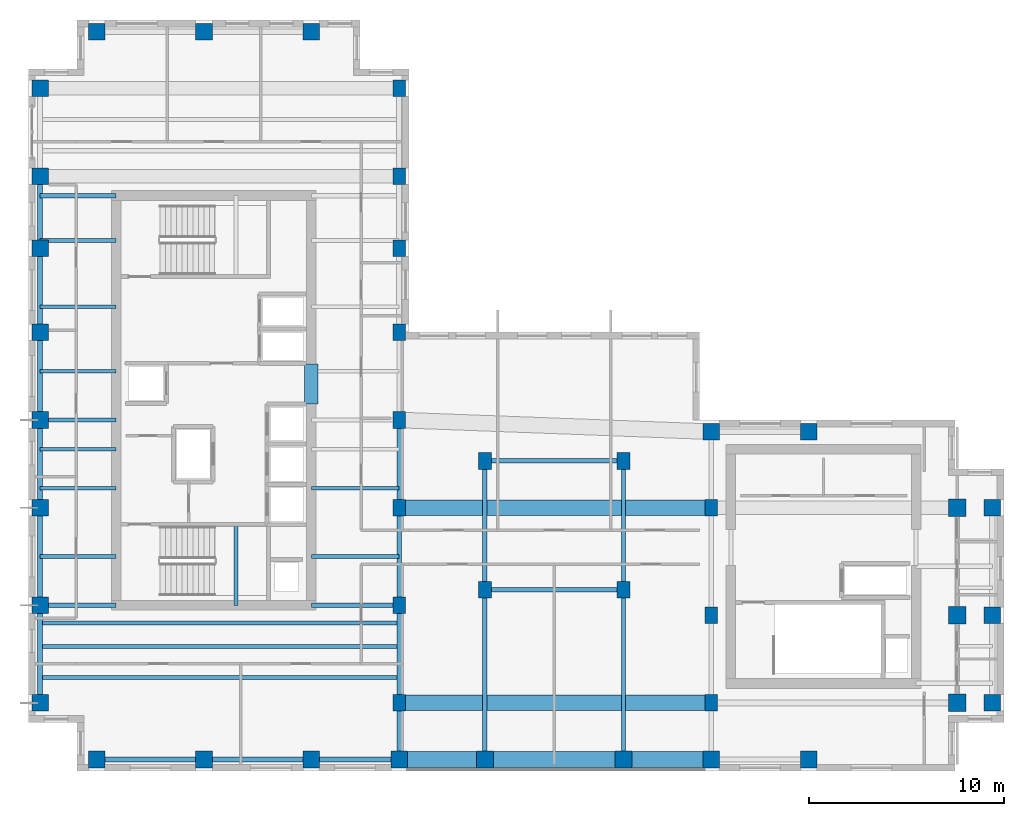
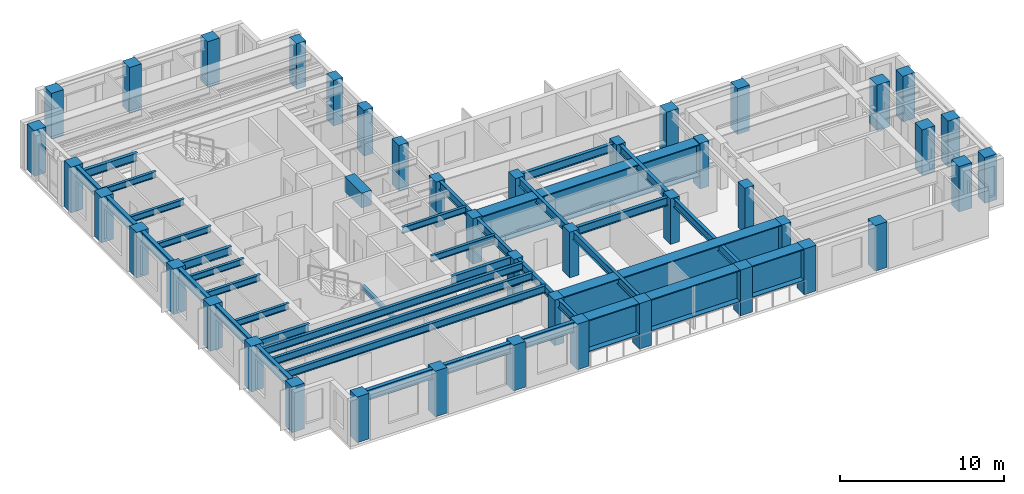
# One storey, part 1 of 13: 42 columns, 39 beams.
"""IFC4 building model written with IfcOpenShell, lengths in metres."""

import ifcopenshell
import ifcopenshell.guid

model = None  # the IFC model being written
_history = None  # IfcOwnerHistory: only IFC2X3 demands one
_inside = {}  # id of a spatial element -> (the spatial element, [elements in it])
_under = {}  # id of a project, library or spatial element -> (it, [spatial elements below it])
_declared = {}  # id of a project -> (the project, [libraries it declares])
_typed = {}  # id of a type object -> (the type object, [elements of that type])
_made_of = {}  # id of a material, layer set ... -> (it, [elements and type objects made of it])


def new_model(schema):
    """Start an empty IFC model of exactly this schema.

    Asked for "IFC4X3", IfcOpenShell would pick the latest addendum, in which some entities
    have other attributes; the version numbers below select the first issue.
    IFC2X3 requires an IfcOwnerHistory on every rooted entity: one is made here for all.
    """
    global model, _history
    if schema == "IFC4X3":
        model = ifcopenshell.file(schema_version=(4, 3, 0, 0))
    else:
        model = ifcopenshell.file(schema=schema)
    _inside.clear()
    _under.clear()
    _declared.clear()
    _typed.clear()
    _made_of.clear()
    _history = None
    if model.schema == "IFC2X3":
        org = make("IfcOrganization", Name="unknown")
        user = make(
            "IfcPersonAndOrganization",
            ThePerson=make("IfcPerson", FamilyName="unknown"),
            TheOrganization=org,
        )
        app = make(
            "IfcApplication",
            ApplicationDeveloper=org,
            Version="unknown",
            ApplicationFullName="unknown",
            ApplicationIdentifier="unknown",
        )
        _history = make(
            "IfcOwnerHistory",
            OwningUser=user,
            OwningApplication=app,
            ChangeAction="ADDED",
            CreationDate=0,
        )
    return model


def make(cls, **values):
    """One entity of the class cls with the attributes given. An attribute that is None is left unset."""
    return model.create_entity(
        cls, **{name: value for name, value in values.items() if value is not None}
    )


def rooted(cls, **values):
    """An entity with a GlobalId (a new one), such as an element, a storey or a relation."""
    return make(cls, GlobalId=ifcopenshell.guid.new(), OwnerHistory=_history, **values)


def si_unit(unit_type, name, prefix=None):
    """IfcSIUnit, for example si_unit("LENGTHUNIT", "METRE", prefix="MILLI")."""
    return make("IfcSIUnit", UnitType=unit_type, Prefix=prefix, Name=name)


def assignment(units):
    """IfcUnitAssignment: the units of a project."""
    return None if units is None else make("IfcUnitAssignment", Units=units)


def point(xyz):
    """IfcCartesianPoint."""
    return None if xyz is None else make("IfcCartesianPoint", Coordinates=xyz)


def direction(xyz):
    """IfcDirection."""
    return None if xyz is None else make("IfcDirection", DirectionRatios=xyz)


def frame(location, z_axis=None, x_axis=None):
    """IfcAxis2Placement3D, a coordinate frame: its origin and axes. An axis left out is left unset."""
    return make(
        "IfcAxis2Placement3D",
        Location=point(location),
        Axis=direction(z_axis),
        RefDirection=direction(x_axis),
    )


def frame_2d(location, x_axis=None):
    """IfcAxis2Placement2D, a coordinate frame in the plane: its origin and x axis."""
    return make(
        "IfcAxis2Placement2D", Location=point(location), RefDirection=direction(x_axis)
    )


def origin():
    """The frame at (0, 0, 0) with its axes left unset."""
    return frame((0.0, 0.0, 0.0))


def origin_2d():
    """The frame at (0, 0) in the plane with its x axis left unset."""
    return frame_2d((0.0, 0.0))


def place(relative_to, where):
    """IfcLocalPlacement: puts the frame where relative to a parent placement (None: the world)."""
    return make(
        "IfcLocalPlacement", PlacementRelTo=relative_to, RelativePlacement=where
    )


def context(
    kind, dimensions, precision=None, world=None, true_north=None, identifier=None
):
    """IfcGeometricRepresentationContext, for example the 3D "Model" context."""
    return make(
        "IfcGeometricRepresentationContext",
        ContextIdentifier=identifier,
        ContextType=kind,
        CoordinateSpaceDimension=dimensions,
        Precision=precision,
        WorldCoordinateSystem=world,
        TrueNorth=true_north,
    )


def subcontext(parent, identifier, kind, view, scale=None):
    """IfcGeometricRepresentationSubContext, for example "Body" below "Model"."""
    return make(
        "IfcGeometricRepresentationSubContext",
        ContextIdentifier=identifier,
        ContextType=kind,
        ParentContext=parent,
        TargetScale=scale,
        TargetView=view,
    )


def project(units=None, contexts=None):
    """IfcProject with its units and contexts."""
    return rooted(
        "IfcProject",
        Name="project",
        RepresentationContexts=contexts,
        UnitsInContext=assignment(units),
    )


def spatial(cls, under=None, at=None, **own):
    """A site, building, storey or space (cls), placed at a placement, below another one or the project."""
    s = rooted(cls, ObjectPlacement=at, **own)
    if under is not None:
        _under.setdefault(under.id(), (under, []))[1].append(s)
    return s


def profile(cls, at=None, kind="AREA", **sizes):
    """A parametric profile (cls). Its sizes go by their IFC names, for example OverallWidth=200.0."""
    return make(cls, ProfileType=kind, Position=at, **sizes)


def rectangle(**sizes):
    """IfcRectangleProfileDef."""
    return profile("IfcRectangleProfileDef", **sizes)


def i_section(**sizes):
    """IfcIShapeProfileDef."""
    return profile("IfcIShapeProfileDef", **sizes)


def extrude(swept, where, along, depth):
    """IfcExtrudedAreaSolid: the profile swept, set in the frame where, extruded along a direction by depth."""
    return make(
        "IfcExtrudedAreaSolid",
        SweptArea=swept,
        Position=where,
        ExtrudedDirection=direction(along),
        Depth=depth,
    )


def shape(context_of_items, identifier, shape_type, items):
    """IfcShapeRepresentation: the items that make up one representation, for example the "Body"."""
    return make(
        "IfcShapeRepresentation",
        ContextOfItems=context_of_items,
        RepresentationIdentifier=identifier,
        RepresentationType=shape_type,
        Items=items,
    )


def source(mapping_origin, context_of_items, identifier, shape_type, items):
    """IfcRepresentationMap: a shape defined once, which mapped items show again and again."""
    return make(
        "IfcRepresentationMap",
        MappingOrigin=mapping_origin,
        MappedRepresentation=shape(context_of_items, identifier, shape_type, items),
    )


def transform(
    local_origin,
    x_axis=None,
    y_axis=None,
    z_axis=None,
    scale=None,
    scale2=None,
    scale3=None,
    uniform=True,
):
    """IfcCartesianTransformationOperator3D, or its non-uniform kind. x_axis, y_axis, z_axis: its Axis1, 2, 3."""
    if uniform:
        return make(
            "IfcCartesianTransformationOperator3D",
            Axis1=direction(x_axis),
            Axis2=direction(y_axis),
            LocalOrigin=point(local_origin),
            Scale=scale,
            Axis3=direction(z_axis),
        )
    return make(
        "IfcCartesianTransformationOperator3DnonUniform",
        Axis1=direction(x_axis),
        Axis2=direction(y_axis),
        LocalOrigin=point(local_origin),
        Scale=scale,
        Axis3=direction(z_axis),
        Scale2=scale2,
        Scale3=scale3,
    )


def mapped(mapping_source, mapping_target):
    """IfcMappedItem: shows the shape of a source again, moved by a transform."""
    return make(
        "IfcMappedItem", MappingSource=mapping_source, MappingTarget=mapping_target
    )


def material(Name=None, Category=None):
    """IfcMaterial."""
    return make("IfcMaterial", Name=Name, Category=Category)


def material_profile(
    of_material, cross_section, Name=None, Category=None, Priority=None
):
    """IfcMaterialProfile: a cross section and its material."""
    return make(
        "IfcMaterialProfile",
        Name=Name,
        Material=of_material,
        Profile=cross_section,
        Priority=Priority,
        Category=Category,
    )


def profile_set(profiles, Name=None, composite=None):
    """IfcMaterialProfileSet."""
    return make(
        "IfcMaterialProfileSet",
        Name=Name,
        MaterialProfiles=profiles,
        CompositeProfile=composite,
    )


def made_of(thing, what):
    """Note that an element or type object is made of a material, layer set ...; save() writes the relation."""
    if what is not None:
        _made_of.setdefault(what.id(), (what, []))[1].append(thing)
    return thing


def type_object(cls, material=None, **own):
    """A type object (cls), such as IfcWallType, which elements share."""
    return made_of(rooted(cls, **own), material)


def element(
    cls,
    number,
    at=None,
    inside=None,
    cuts=None,
    type_object=None,
    material=None,
    context=None,
    identifier="Body",
    shape_type=None,
    held_by="IfcProductDefinitionShape",
    body=None,
    shapes=None,
    **own,
):
    """One element of the class cls, such as IfcWall. Its Tag is "e" and its number.

    at: its placement. inside: the storey or other place that contains it. cuts: it is an
    opening in that element (IfcRelVoidsElement). A single representation is given by context,
    identifier, shape_type and body (its items); several are given by shapes. held_by: the class
    of the entity that holds the representations. save() writes the other relations.
    """
    e = rooted(cls, Tag="e%d" % number, ObjectPlacement=at, **own)
    if body is not None:
        shapes = [shape(context, identifier, shape_type, body)]
    if shapes is not None:
        e.Representation = make(held_by, Representations=shapes)
    if inside is not None:
        _inside.setdefault(inside.id(), (inside, []))[1].append(e)
    if cuts is not None:
        rooted(
            "IfcRelVoidsElement", RelatingBuildingElement=cuts, RelatedOpeningElement=e
        )
    if type_object is not None:
        _typed.setdefault(type_object.id(), (type_object, []))[1].append(e)
    return made_of(e, material)


def aggregate(whole, parts):
    """IfcRelAggregates: a whole, such as a stair, and the parts it consists of."""
    return rooted("IfcRelAggregates", RelatingObject=whole, RelatedObjects=parts)


def save(model, path):
    """Write the relations noted so far, then the file.

    IfcRelAggregates (storeys below a building ...), IfcRelContainedInSpatialStructure (elements
    in a storey), IfcRelDefinesByType, IfcRelAssociatesMaterial and IfcRelDeclares: one each for
    every whole, place, type object, material and project.
    """
    for whole, parts in _under.values():
        aggregate(whole, parts)
    for where, things in _inside.values():
        rooted(
            "IfcRelContainedInSpatialStructure",
            RelatedElements=things,
            RelatingStructure=where,
        )
    for kind, things in _typed.values():
        rooted("IfcRelDefinesByType", RelatedObjects=things, RelatingType=kind)
    for what, things in _made_of.values():
        rooted("IfcRelAssociatesMaterial", RelatedObjects=things, RelatingMaterial=what)
    for by, libraries in _declared.values():
        rooted("IfcRelDeclares", RelatingContext=by, RelatedDefinitions=libraries)
    model.write(path)


model = new_model("IFC4")

# Units and contexts
model_context = context("Model", 3, precision=1e-05, world=origin(), true_north=direction((0.0, 1.0)))
body_context = subcontext(model_context, "Body", "Model", "MODEL_VIEW")
ifc_project = project(units=[si_unit("LENGTHUNIT", "METRE"), si_unit("AREAUNIT", "SQUARE_METRE"), si_unit("VOLUMEUNIT", "CUBIC_METRE"), si_unit("PLANEANGLEUNIT", "RADIAN"), si_unit("MASSUNIT", "GRAM", prefix="KILO")], contexts=[model_context])

# Site, building, storey
site_placement = place(None, origin())
site = spatial("IfcSite", under=ifc_project, at=site_placement, CompositionType="ELEMENT")
building_placement = place(site_placement, origin())
building = spatial("IfcBuilding", under=site, at=building_placement, Name="Kharzan Plaza Tower", CompositionType="ELEMENT")
storey_placement = place(building_placement, frame((0.0, 0.0, 259.199951171875)))
storey = spatial("IfcBuildingStorey", under=building, at=storey_placement, Name="L70", CompositionType="ELEMENT", Elevation=259.199951171875)

# Columns
ifc_material_1 = material(Name="Concrete C50/60", Category="concrete")
ifc_material_profile_1 = material_profile(ifc_material_1, rectangle(XDim=0.89990234375, YDim=0.89990234375, at=origin_2d()), Name="RC-IC900x900")
ifc_profile_set_1 = profile_set([ifc_material_profile_1], Name="Concrete C50/60")
column_type_1 = type_object("IfcColumnType", Name="COL-IC900", PredefinedType="COLUMN", material=ifc_profile_set_1)
shared_shape_1 = source(origin(), body_context, "Body", "SweptSolid", [
    extrude(rectangle(XDim=0.89990234375, YDim=0.89990234375, at=origin_2d()), origin(), (0.0, 0.0, 1.0), 3.400146484375),
])
for number, where, z_axis, x_axis, name in (
    (1, (47.60009765625, 13.5, 0.0), (0.0, 0.0, 1.0), (1.0, 0.0, 0.0), "L70 Structural Column TCBI-135"),
    (2, (47.60009765625, 3.5, 0.0), (0.0, 0.0, 1.0), (1.0, 0.0, 0.0), "L70 Structural Column TCBI-35"),
    (3, (47.60009765625, 8.0, 0.0), (0.0, 0.0, 1.0), (1.0, 0.0, 0.0), "L70 Structural Column TCBI-80"),
):
    element("IfcColumn", number, at=place(storey_placement, frame(where, z_axis=z_axis, x_axis=x_axis)), inside=storey, type_object=column_type_1, Name=name, PredefinedType="COLUMN", context=body_context, shape_type="MappedRepresentation", body=[
        mapped(shared_shape_1, transform((0.0, 0.0, 0.0), x_axis=(1.0, 0.0, 0.0), y_axis=(0.0, 1.0, 0.0), z_axis=(0.0, 0.0, 1.0))),
    ])
ifc_material_profile_2 = material_profile(ifc_material_1, rectangle(XDim=0.64990234375, YDim=0.85009765625, at=origin_2d()), Name="RC-SC850x650")
ifc_profile_set_2 = profile_set([ifc_material_profile_2], Name="Concrete C50/60")
column_type_2 = type_object("IfcColumnType", Name="COL-SC850", PredefinedType="COLUMN", material=ifc_profile_set_2)
shared_shape_2 = source(origin(), body_context, "Body", "SweptSolid", [
    extrude(rectangle(XDim=0.64990234375, YDim=0.85009765625, at=origin_2d()), origin(), (0.0, 0.0, 1.0), 3.400146484375),
])
for number, where, z_axis, x_axis, name in (
    (4, (19.0, 13.5, 0.0), (0.0, 0.0, 1.0), (1.0, 0.0, 0.0), "L70 Structural Column TCA-135"),
    (5, (19.0, 18.0, 0.0), (0.0, 0.0, 1.0), (1.0, 0.0, 0.0), "L70 Structural Column TCA-180"),
    (6, (19.0, 22.5, 0.0), (0.0, 0.0, 1.0), (1.0, 0.0, 0.0), "L70 Structural Column TCA-225"),
    (7, (19.0, 26.800048828125, 0.0), (0.0, 0.0, 1.0), (1.0, 0.0, 0.0), "L70 Structural Column TCA-268"),
    (8, (19.0, 30.5, 0.0), (0.0, 0.0, 1.0), (1.0, 0.0, 0.0), "L70 Structural Column TCA-305"),
    (9, (19.0, 3.5, 0.0), (0.0, 0.0, 1.0), (1.0, 0.0, 0.0), "L70 Structural Column TCA-35"),
    (10, (19.0, 35.0, 0.0), (0.0, 0.0, 1.0), (1.0, 0.0, 0.0), "L70 Structural Column TCA-350"),
    (11, (19.0, 8.5, 0.0), (0.0, 0.0, 1.0), (1.0, 0.0, 0.0), "L70 Structural Column TCA-85"),
    (12, (35.0, 13.5, 0.0), (0.0, 0.0, 1.0), (1.0, 0.0, 0.0), "L70 Structural Column TCBS-135"),
    (13, (35.0, 3.5, 0.0), (0.0, 0.0, 1.0), (1.0, 0.0, 0.0), "L70 Structural Column TCBS-35"),
    (14, (35.0, 8.0, 0.0), (0.0, 0.0, 1.0), (1.0, 0.0, 0.0), "L70 Structural Column TCBS-80"),
    (15, (23.39990234375, 15.89990234375, 0.0), (0.0, 0.0, 1.0), (1.0, 0.0, 0.0), "L70 Structural Column TCSP-234-159"),
    (16, (23.39990234375, 9.300048828125, 0.0), (0.0, 0.0, 1.0), (1.0, 0.0, 0.0), "L70 Structural Column TCSP-234-93"),
    (17, (30.5, 15.89990234375, 0.0), (0.0, 0.0, 1.0), (1.0, 0.0, 0.0), "L70 Structural Column TCSP-305-159"),
    (18, (30.5, 9.300048828125, 0.0), (0.0, 0.0, 1.0), (1.0, 0.0, 0.0), "L70 Structural Column TCSP-305-93"),
):
    element("IfcColumn", number, at=place(storey_placement, frame(where, z_axis=z_axis, x_axis=x_axis)), inside=storey, type_object=column_type_2, Name=name, PredefinedType="COLUMN", context=body_context, shape_type="MappedRepresentation", body=[
        mapped(shared_shape_2, transform((0.0, 0.0, 0.0), x_axis=(1.0, 0.0, 0.0), y_axis=(0.0, 1.0, 0.0), z_axis=(0.0, 0.0, 1.0))),
    ])
ifc_material_profile_3 = material_profile(ifc_material_1, rectangle(XDim=0.85009765625, YDim=0.85009765625, at=origin_2d()), Name="RC-TC850x850")
ifc_profile_set_3 = profile_set([ifc_material_profile_3], Name="Concrete C50/60")
column_type_3 = type_object("IfcColumnType", Name="COL-TC850", PredefinedType="COLUMN", material=ifc_profile_set_3)
shared_shape_3 = source(origin(), body_context, "Body", "SweptSolid", [
    extrude(rectangle(XDim=0.85009765625, YDim=0.85009765625, at=origin_2d()), origin(), (0.0, 0.0, 1.0), 3.400146484375),
])
for number, where, z_axis, x_axis, name in (
    (19, (35.0, 17.39990234375, 0.0), (0.0, 0.0, 1.0), (1.0, 0.0, 0.0), "L70 Structural Column TCBN-350-174"),
    (20, (40.0, 17.39990234375, 0.0), (0.0, 0.0, 1.0), (1.0, 0.0, 0.0), "L70 Structural Column TCBN-400-174"),
    (21, (49.39990234375, 13.5, 0.0), (0.0, 0.0, 1.0), (1.0, 0.0, 0.0), "L70 Structural Column TCE-494-135"),
    (22, (49.39990234375, 3.5, 0.0), (0.0, 0.0, 1.0), (1.0, 0.0, 0.0), "L70 Structural Column TCE-494-35"),
    (23, (49.39990234375, 8.0, 0.0), (0.0, 0.0, 1.0), (1.0, 0.0, 0.0), "L70 Structural Column TCE-494-80"),
    (24, (14.5, 37.89990234375, 0.0), (0.0, 0.0, 1.0), (1.0, 0.0, 0.0), "L70 Structural Column TCN-145-379"),
    (25, (3.5, 37.89990234375, 0.0), (0.0, 0.0, 1.0), (1.0, 0.0, 0.0), "L70 Structural Column TCN-35-379"),
    (26, (9.0, 37.89990234375, 0.0), (0.0, 0.0, 1.0), (1.0, 0.0, 0.0), "L70 Structural Column TCN-90-379"),
    (27, (14.5, 0.60009765625, 0.0), (0.0, 0.0, 1.0), (1.0, 0.0, 0.0), "L70 Structural Column TCS-145"),
    (28, (19.0, 0.60009765625, 0.0), (0.0, 0.0, 1.0), (1.0, 0.0, 0.0), "L70 Structural Column TCS-190"),
    (29, (23.39990234375, 0.60009765625, 0.0), (0.0, 0.0, 1.0), (1.0, 0.0, 0.0), "L70 Structural Column TCS-234"),
    (30, (30.5, 0.60009765625, 0.0), (0.0, 0.0, 1.0), (1.0, 0.0, 0.0), "L70 Structural Column TCS-305"),
    (31, (3.5, 0.60009765625, 0.0), (0.0, 0.0, 1.0), (1.0, 0.0, 0.0), "L70 Structural Column TCS-35"),
    (32, (35.0, 0.60009765625, 0.0), (0.0, 0.0, 1.0), (1.0, 0.0, 0.0), "L70 Structural Column TCS-350"),
    (33, (40.0, 0.60009765625, 0.0), (0.0, 0.0, 1.0), (1.0, 0.0, 0.0), "L70 Structural Column TCS-400"),
    (34, (9.0, 0.60009765625, 0.0), (0.0, 0.0, 1.0), (1.0, 0.0, 0.0), "L70 Structural Column TCS-90"),
    (35, (0.60009765625, 13.5, 0.0), (0.0, 0.0, 1.0), (1.0, 0.0, 0.0), "L70 Structural Column TCW-135"),
    (36, (0.60009765625, 18.0, 0.0), (0.0, 0.0, 1.0), (1.0, 0.0, 0.0), "L70 Structural Column TCW-180"),
    (37, (0.60009765625, 22.5, 0.0), (0.0, 0.0, 1.0), (1.0, 0.0, 0.0), "L70 Structural Column TCW-225"),
    (38, (0.60009765625, 26.800048828125, 0.0), (0.0, 0.0, 1.0), (1.0, 0.0, 0.0), "L70 Structural Column TCW-268"),
    (39, (0.60009765625, 30.5, 0.0), (0.0, 0.0, 1.0), (1.0, 0.0, 0.0), "L70 Structural Column TCW-305"),
    (40, (0.60009765625, 3.5, 0.0), (0.0, 0.0, 1.0), (1.0, 0.0, 0.0), "L70 Structural Column TCW-35"),
    (41, (0.60009765625, 35.0, 0.0), (0.0, 0.0, 1.0), (1.0, 0.0, 0.0), "L70 Structural Column TCW-350"),
    (42, (0.60009765625, 8.5, 0.0), (0.0, 0.0, 1.0), (1.0, 0.0, 0.0), "L70 Structural Column TCW-85"),
):
    element("IfcColumn", number, at=place(storey_placement, frame(where, z_axis=z_axis, x_axis=x_axis)), inside=storey, type_object=column_type_3, Name=name, PredefinedType="COLUMN", context=body_context, shape_type="MappedRepresentation", body=[
        mapped(shared_shape_3, transform((0.0, 0.0, 0.0), x_axis=(1.0, 0.0, 0.0), y_axis=(0.0, 1.0, 0.0), z_axis=(0.0, 0.0, 1.0))),
    ])

# Beams
ifc_material_2 = material(Name="Concrete C60/75", Category="concrete")
ifc_material_profile_4 = material_profile(ifc_material_2, rectangle(XDim=0.699951171875, YDim=1.10009765625, at=origin_2d()), Name="RC-CB1100x700")
ifc_profile_set_4 = profile_set([ifc_material_profile_4], Name="Concrete C60/75")
beam_type_1 = type_object("IfcBeamType", Name="BM-RCCB1100", PredefinedType="LINTEL", material=ifc_profile_set_4)
shared_shape_4 = source(origin(), body_context, "Body", "SweptSolid", [
    extrude(rectangle(XDim=0.699951171875, YDim=1.10009765625, at=origin_2d()), origin(), (0.0, 0.0, 1.0), 2.059814453125),
])
beam_1_placement = place(storey_placement, frame((14.5, 18.820068359375, 2.85009765625), z_axis=(0.0, 1.0, 0.0), x_axis=(-1.0, 0.0, 0.0)))
element("IfcBeam", 43, at=beam_1_placement, inside=storey, type_object=beam_type_1, Name="L70 CORE-A RC coupling beam CB1", PredefinedType="LINTEL", context=body_context, shape_type="MappedRepresentation", body=[
    mapped(shared_shape_4, transform((0.0, 0.0, 0.0), x_axis=(1.0, 0.0, 0.0), y_axis=(0.0, 1.0, 0.0), z_axis=(0.0, 0.0, 1.0))),
])
ifc_material_3 = material(Name="Steel S355", Category="steel")
ifc_material_profile_5 = material_profile(ifc_material_3, i_section(OverallWidth=0.205078125, OverallDepth=0.35400390625, WebThickness=0.009521484375, FlangeThickness=0.016845703125, at=origin_2d()), Name="W360x79")
ifc_profile_set_5 = profile_set([ifc_material_profile_5], Name="Steel S355")
beam_type_2 = type_object("IfcBeamType", Name="BM-LNT360", PredefinedType="LINTEL", material=ifc_profile_set_5)
shared_shape_5 = source(origin(), body_context, "Body", "SweptSolid", [
    extrude(i_section(OverallWidth=0.205078125, OverallDepth=0.35400390625, WebThickness=0.009521484375, FlangeThickness=0.016845703125, at=origin_2d()), origin(), (0.0, 0.0, 1.0), 4.155029296875),
])
beam_2_placement = place(storey_placement, frame((10.64990234375, 8.5, 1.423095703125), z_axis=(0.0, 1.0, 0.0), x_axis=(-1.0, 0.0, 0.0)))
element("IfcBeam", 44, at=beam_2_placement, inside=storey, type_object=beam_type_2, Name="L70 Stair ST-1 Half-Landing Beam", PredefinedType="LINTEL", context=body_context, shape_type="MappedRepresentation", body=[
    mapped(shared_shape_5, transform((0.0, 0.0, 0.0), x_axis=(1.0, 0.0, 0.0), y_axis=(0.0, 1.0, 0.0), z_axis=(0.0, 0.0, 1.0))),
])
ifc_material_profile_6 = material_profile(ifc_material_3, i_section(OverallWidth=0.2099609375, OverallDepth=0.537109375, WebThickness=0.010986328125, FlangeThickness=0.017333984375, at=origin_2d()), Name="W530x101")
ifc_profile_set_6 = profile_set([ifc_material_profile_6], Name="Steel S355")
beam_type_3 = type_object("IfcBeamType", Name="BM-JST530B", PredefinedType="JOIST", material=ifc_profile_set_6)
shared_shape_6 = source(origin(), body_context, "Body", "SweptSolid", [
    extrude(i_section(OverallWidth=0.2099609375, OverallDepth=0.537109375, WebThickness=0.010986328125, FlangeThickness=0.017333984375, at=origin_2d()), origin(), (0.0, 0.0, 1.0), 18.39990234375),
])
for number, where, z_axis, x_axis, name in (
    (45, (0.60009765625, 4.800048828125, 3.131591796875), (1.0, 0.0, 0.0), (0.0, 1.0, 0.0), "L70 Wing A Composite Joist 01"),
    (46, (0.60009765625, 6.39990234375, 3.131591796875), (1.0, 0.0, 0.0), (0.0, 1.0, 0.0), "L70 Wing A Composite Joist 02"),
    (47, (0.60009765625, 7.60009765625, 3.131591796875), (1.0, 0.0, 0.0), (0.0, 1.0, 0.0), "L70 Wing A Composite Joist 03"),
):
    element("IfcBeam", number, at=place(storey_placement, frame(where, z_axis=z_axis, x_axis=x_axis)), inside=storey, type_object=beam_type_3, Name=name, PredefinedType="JOIST", context=body_context, shape_type="MappedRepresentation", body=[
        mapped(shared_shape_6, transform((0.0, 0.0, 0.0), x_axis=(1.0, 0.0, 0.0), y_axis=(0.0, 1.0, 0.0), z_axis=(0.0, 0.0, 1.0))),
    ])
ifc_material_profile_7 = material_profile(ifc_material_3, i_section(OverallWidth=0.194091796875, OverallDepth=0.468994140625, WebThickness=0.011474609375, FlangeThickness=0.0205078125, at=origin_2d()), Name="W460x106")
ifc_profile_set_7 = profile_set([ifc_material_profile_7], Name="Steel S355")
beam_type_4 = type_object("IfcBeamType", Name="BM-JST460", PredefinedType="JOIST", material=ifc_profile_set_7)
shared_shape_7 = source(origin(), body_context, "Body", "SweptSolid", [
    extrude(i_section(OverallWidth=0.194091796875, OverallDepth=0.468994140625, WebThickness=0.011474609375, FlangeThickness=0.0205078125, at=origin_2d()), origin(), (0.0, 0.0, 1.0), 4.5),
])
for number, where, z_axis, x_axis, name in (
    (48, (14.5, 11.0, 3.16552734375), (1.0, 0.0, 0.0), (0.0, 1.0, 0.0), "L70 Wing A East Infill Joist 1"),
    (49, (14.5, 14.5, 3.16552734375), (1.0, 0.0, 0.0), (0.0, 1.0, 0.0), "L70 Wing A East Infill Joist 2"),
):
    element("IfcBeam", number, at=place(storey_placement, frame(where, z_axis=z_axis, x_axis=x_axis)), inside=storey, type_object=beam_type_4, Name=name, PredefinedType="JOIST", context=body_context, shape_type="MappedRepresentation", body=[
        mapped(shared_shape_7, transform((0.0, 0.0, 0.0), x_axis=(1.0, 0.0, 0.0), y_axis=(0.0, 1.0, 0.0), z_axis=(0.0, 0.0, 1.0))),
    ])
shared_shape_8 = source(origin(), body_context, "Body", "SweptSolid", [
    extrude(i_section(OverallWidth=0.194091796875, OverallDepth=0.468994140625, WebThickness=0.011474609375, FlangeThickness=0.0205078125, at=origin_2d()), origin(), (0.0, 0.0, 1.0), 3.89990234375),
])
for number, where, z_axis, x_axis, name in (
    (50, (0.60009765625, 11.0, 3.16552734375), (1.0, 0.0, 0.0), (0.0, 1.0, 0.0), "L70 Wing A West Infill Joist 1"),
    (51, (0.60009765625, 14.5, 3.16552734375), (1.0, 0.0, 0.0), (0.0, 1.0, 0.0), "L70 Wing A West Infill Joist 2"),
    (52, (0.60009765625, 16.5, 3.16552734375), (1.0, 0.0, 0.0), (0.0, 1.0, 0.0), "L70 Wing A West Infill Joist 3"),
    (53, (0.60009765625, 20.5, 3.16552734375), (1.0, 0.0, 0.0), (0.0, 1.0, 0.0), "L70 Wing A West Infill Joist 4"),
    (54, (0.60009765625, 23.800048828125, 3.16552734375), (1.0, 0.0, 0.0), (0.0, 1.0, 0.0), "L70 Wing A West Infill Joist 5"),
    (55, (0.60009765625, 27.199951171875, 3.16552734375), (1.0, 0.0, 0.0), (0.0, 1.0, 0.0), "L70 Wing A West Infill Joist 6"),
):
    element("IfcBeam", number, at=place(storey_placement, frame(where, z_axis=z_axis, x_axis=x_axis)), inside=storey, type_object=beam_type_4, Name=name, PredefinedType="JOIST", context=body_context, shape_type="MappedRepresentation", body=[
        mapped(shared_shape_8, transform((0.0, 0.0, 0.0), x_axis=(1.0, 0.0, 0.0), y_axis=(0.0, 1.0, 0.0), z_axis=(0.0, 0.0, 1.0))),
    ])
ifc_material_profile_8 = material_profile(ifc_material_3, i_section(OverallWidth=0.22900390625, OverallDepth=0.612060546875, WebThickness=0.011962890625, FlangeThickness=0.01953125, at=origin_2d()), Name="W610x125")
ifc_profile_set_8 = profile_set([ifc_material_profile_8], Name="Steel S355")
beam_type_5 = type_object("IfcBeamType", Name="BM-FG610B", PredefinedType="BEAM", material=ifc_profile_set_8)
shared_shape_9 = source(origin(), body_context, "Body", "SweptSolid", [
    extrude(i_section(OverallWidth=0.22900390625, OverallDepth=0.612060546875, WebThickness=0.011962890625, FlangeThickness=0.01953125, at=origin_2d()), origin(), (0.0, 0.0, 1.0), 4.5),
])
for number, where, z_axis, x_axis, name in (
    (56, (14.5, 8.5, 3.093994140625), (1.0, 0.0, 0.0), (0.0, 1.0, 0.0), "L70 Core-A East Floor Girder 1"),
    (57, (19.0, 13.5, 3.093994140625), (0.0, 1.0, 0.0), (-1.0, 0.0, 0.0), "L70 Interior Frame Girder"),
):
    element("IfcBeam", number, at=place(storey_placement, frame(where, z_axis=z_axis, x_axis=x_axis)), inside=storey, type_object=beam_type_5, Name=name, PredefinedType="BEAM", context=body_context, shape_type="MappedRepresentation", body=[
        mapped(shared_shape_9, transform((0.0, 0.0, 0.0), x_axis=(1.0, 0.0, 0.0), y_axis=(0.0, 1.0, 0.0), z_axis=(0.0, 0.0, 1.0))),
    ])
shared_shape_10 = source(origin(), body_context, "Body", "SweptSolid", [
    extrude(i_section(OverallWidth=0.22900390625, OverallDepth=0.612060546875, WebThickness=0.011962890625, FlangeThickness=0.01953125, at=origin_2d()), origin(), (0.0, 0.0, 1.0), 3.89990234375),
])
for number, where, z_axis, x_axis, name in (
    (58, (0.60009765625, 8.5, 3.093994140625), (1.0, 0.0, 0.0), (0.0, 1.0, 0.0), "L70 Core-A West Floor Girder 1"),
    (59, (0.60009765625, 18.0, 3.093994140625), (1.0, 0.0, 0.0), (0.0, 1.0, 0.0), "L70 Core-A West Floor Girder 2"),
    (60, (0.60009765625, 29.5, 3.093994140625), (1.0, 0.0, 0.0), (0.0, 1.0, 0.0), "L70 Core-A West Floor Girder 3"),
):
    element("IfcBeam", number, at=place(storey_placement, frame(where, z_axis=z_axis, x_axis=x_axis)), inside=storey, type_object=beam_type_5, Name=name, PredefinedType="BEAM", context=body_context, shape_type="MappedRepresentation", body=[
        mapped(shared_shape_10, transform((0.0, 0.0, 0.0), x_axis=(1.0, 0.0, 0.0), y_axis=(0.0, 1.0, 0.0), z_axis=(0.0, 0.0, 1.0))),
    ])
shared_shape_11 = source(origin(), body_context, "Body", "SweptSolid", [
    extrude(i_section(OverallWidth=0.22900390625, OverallDepth=0.612060546875, WebThickness=0.011962890625, FlangeThickness=0.01953125, at=origin_2d()), origin(), (0.0, 0.0, 1.0), 5.0),
])
for number, where, z_axis, x_axis, name in (
    (61, (19.0, 3.5, 3.093994140625), (0.0, 1.0, 0.0), (-1.0, 0.0, 0.0), "L70 Interior Frame Girder"),
    (62, (19.0, 8.5, 3.093994140625), (0.0, 1.0, 0.0), (-1.0, 0.0, 0.0), "L70 Interior Frame Girder"),
):
    element("IfcBeam", number, at=place(storey_placement, frame(where, z_axis=z_axis, x_axis=x_axis)), inside=storey, type_object=beam_type_5, Name=name, PredefinedType="BEAM", context=body_context, shape_type="MappedRepresentation", body=[
        mapped(shared_shape_11, transform((0.0, 0.0, 0.0), x_axis=(1.0, 0.0, 0.0), y_axis=(0.0, 1.0, 0.0), z_axis=(0.0, 0.0, 1.0))),
    ])
shared_shape_12 = source(origin(), body_context, "Body", "SweptSolid", [
    extrude(i_section(OverallWidth=0.22900390625, OverallDepth=0.612060546875, WebThickness=0.011962890625, FlangeThickness=0.01953125, at=origin_2d()), origin(), (0.0, 0.0, 1.0), 6.599853515625),
])
for number, where, z_axis, x_axis, name in (
    (63, (23.39990234375, 9.300048828125, 3.093994140625), (0.0, 1.0, 0.0), (-1.0, 0.0, 0.0), "L70 Interior Frame Girder"),
    (64, (30.5, 9.300048828125, 3.029052734375), (0.0, 1.0, 0.0), (-1.0, 0.0, 0.0), "L70 Interior Frame Girder"),
):
    element("IfcBeam", number, at=place(storey_placement, frame(where, z_axis=z_axis, x_axis=x_axis)), inside=storey, type_object=beam_type_5, Name=name, PredefinedType="BEAM", context=body_context, shape_type="MappedRepresentation", body=[
        mapped(shared_shape_12, transform((0.0, 0.0, 0.0), x_axis=(1.0, 0.0, 0.0), y_axis=(0.0, 1.0, 0.0), z_axis=(0.0, 0.0, 1.0))),
    ])
shared_shape_13 = source(origin(), body_context, "Body", "SweptSolid", [
    extrude(i_section(OverallWidth=0.22900390625, OverallDepth=0.612060546875, WebThickness=0.011962890625, FlangeThickness=0.01953125, at=origin_2d()), origin(), (0.0, 0.0, 1.0), 2.89990234375),
])
beam_3_placement = place(storey_placement, frame((19.0, 0.60009765625, 3.093994140625), z_axis=(0.0, 1.0, 0.0), x_axis=(-1.0, 0.0, 0.0)))
element("IfcBeam", 65, at=beam_3_placement, inside=storey, type_object=beam_type_5, Name="L70 Interior Frame Girder", PredefinedType="BEAM", context=body_context, shape_type="MappedRepresentation", body=[
    mapped(shared_shape_13, transform((0.0, 0.0, 0.0), x_axis=(1.0, 0.0, 0.0), y_axis=(0.0, 1.0, 0.0), z_axis=(0.0, 0.0, 1.0))),
])
shared_shape_14 = source(origin(), body_context, "Body", "SweptSolid", [
    extrude(i_section(OverallWidth=0.22900390625, OverallDepth=0.612060546875, WebThickness=0.011962890625, FlangeThickness=0.01953125, at=origin_2d()), origin(), (0.0, 0.0, 1.0), 7.10009765625),
])
for number, where, z_axis, x_axis, name in (
    (66, (23.39990234375, 9.300048828125, 3.029052734375), (1.0, 0.0, 0.0), (0.0, 1.0, 0.0), "L70 Primary Floor Girder"),
    (67, (23.39990234375, 15.89990234375, 3.029052734375), (1.0, 0.0, 0.0), (0.0, 1.0, 0.0), "L70 Primary Floor Girder"),
):
    element("IfcBeam", number, at=place(storey_placement, frame(where, z_axis=z_axis, x_axis=x_axis)), inside=storey, type_object=beam_type_5, Name=name, PredefinedType="BEAM", context=body_context, shape_type="MappedRepresentation", body=[
        mapped(shared_shape_14, transform((0.0, 0.0, 0.0), x_axis=(1.0, 0.0, 0.0), y_axis=(0.0, 1.0, 0.0), z_axis=(0.0, 0.0, 1.0))),
    ])
ifc_material_profile_9 = material_profile(ifc_material_3, i_section(OverallWidth=0.26708984375, OverallDepth=0.76611328125, WebThickness=0.014892578125, FlangeThickness=0.023681640625, at=origin_2d()), Name="W760x185")
ifc_profile_set_9 = profile_set([ifc_material_profile_9], Name="Steel S355")
beam_type_6 = type_object("IfcBeamType", Name="BM-SP760B", PredefinedType="SPANDREL", material=ifc_profile_set_9)
shared_shape_15 = source(origin(), body_context, "Body", "SweptSolid", [
    extrude(i_section(OverallWidth=0.26708984375, OverallDepth=0.76611328125, WebThickness=0.014892578125, FlangeThickness=0.023681640625, at=origin_2d()), origin(), (0.0, 0.0, 1.0), 5.0),
])
for number, where, z_axis, x_axis, name in (
    (68, (0.60009765625, 3.5, 3.01708984375), (0.0, 1.0, 0.0), (-1.0, 0.0, 0.0), "L70 Perimeter Tube Spandrel"),
    (69, (0.60009765625, 8.5, 3.01708984375), (0.0, 1.0, 0.0), (-1.0, 0.0, 0.0), "L70 Perimeter Tube Spandrel"),
):
    element("IfcBeam", number, at=place(storey_placement, frame(where, z_axis=z_axis, x_axis=x_axis)), inside=storey, type_object=beam_type_6, Name=name, PredefinedType="SPANDREL", context=body_context, shape_type="MappedRepresentation", body=[
        mapped(shared_shape_15, transform((0.0, 0.0, 0.0), x_axis=(1.0, 0.0, 0.0), y_axis=(0.0, 1.0, 0.0), z_axis=(0.0, 0.0, 1.0))),
    ])
shared_shape_16 = source(origin(), body_context, "Body", "SweptSolid", [
    extrude(i_section(OverallWidth=0.26708984375, OverallDepth=0.76611328125, WebThickness=0.014892578125, FlangeThickness=0.023681640625, at=origin_2d()), origin(), (0.0, 0.0, 1.0), 4.5),
])
for number, where, z_axis, x_axis, name in (
    (70, (0.60009765625, 13.5, 3.01708984375), (0.0, 1.0, 0.0), (-1.0, 0.0, 0.0), "L70 Perimeter Tube Spandrel"),
    (71, (0.60009765625, 18.0, 3.01708984375), (0.0, 1.0, 0.0), (-1.0, 0.0, 0.0), "L70 Perimeter Tube Spandrel"),
    (72, (14.5, 0.60009765625, 3.01708984375), (1.0, 0.0, 0.0), (0.0, 1.0, 0.0), "L70 Perimeter Tube Spandrel"),
):
    element("IfcBeam", number, at=place(storey_placement, frame(where, z_axis=z_axis, x_axis=x_axis)), inside=storey, type_object=beam_type_6, Name=name, PredefinedType="SPANDREL", context=body_context, shape_type="MappedRepresentation", body=[
        mapped(shared_shape_16, transform((0.0, 0.0, 0.0), x_axis=(1.0, 0.0, 0.0), y_axis=(0.0, 1.0, 0.0), z_axis=(0.0, 0.0, 1.0))),
    ])
shared_shape_17 = source(origin(), body_context, "Body", "SweptSolid", [
    extrude(i_section(OverallWidth=0.26708984375, OverallDepth=0.76611328125, WebThickness=0.014892578125, FlangeThickness=0.023681640625, at=origin_2d()), origin(), (0.0, 0.0, 1.0), 4.300048828125),
])
beam_4_placement = place(storey_placement, frame((0.60009765625, 22.5, 3.01708984375), z_axis=(0.0, 1.0, 0.0), x_axis=(-1.0, 0.0, 0.0)))
element("IfcBeam", 73, at=beam_4_placement, inside=storey, type_object=beam_type_6, Name="L70 Perimeter Tube Spandrel", PredefinedType="SPANDREL", context=body_context, shape_type="MappedRepresentation", body=[
    mapped(shared_shape_17, transform((0.0, 0.0, 0.0), x_axis=(1.0, 0.0, 0.0), y_axis=(0.0, 1.0, 0.0), z_axis=(0.0, 0.0, 1.0))),
])
shared_shape_18 = source(origin(), body_context, "Body", "SweptSolid", [
    extrude(i_section(OverallWidth=0.26708984375, OverallDepth=0.76611328125, WebThickness=0.014892578125, FlangeThickness=0.023681640625, at=origin_2d()), origin(), (0.0, 0.0, 1.0), 3.699951171875),
])
beam_5_placement = place(storey_placement, frame((0.60009765625, 26.800048828125, 3.01708984375), z_axis=(0.0, 1.0, 0.0), x_axis=(-1.0, 0.0, 0.0)))
element("IfcBeam", 74, at=beam_5_placement, inside=storey, type_object=beam_type_6, Name="L70 Perimeter Tube Spandrel", PredefinedType="SPANDREL", context=body_context, shape_type="MappedRepresentation", body=[
    mapped(shared_shape_18, transform((0.0, 0.0, 0.0), x_axis=(1.0, 0.0, 0.0), y_axis=(0.0, 1.0, 0.0), z_axis=(0.0, 0.0, 1.0))),
])
shared_shape_19 = source(origin(), body_context, "Body", "SweptSolid", [
    extrude(i_section(OverallWidth=0.26708984375, OverallDepth=0.76611328125, WebThickness=0.014892578125, FlangeThickness=0.023681640625, at=origin_2d()), origin(), (0.0, 0.0, 1.0), 5.5),
])
for number, where, z_axis, x_axis, name in (
    (75, (3.5, 0.60009765625, 3.01708984375), (1.0, 0.0, 0.0), (0.0, 1.0, 0.0), "L70 Perimeter Tube Spandrel"),
    (76, (9.0, 0.60009765625, 3.01708984375), (1.0, 0.0, 0.0), (0.0, 1.0, 0.0), "L70 Perimeter Tube Spandrel"),
):
    element("IfcBeam", number, at=place(storey_placement, frame(where, z_axis=z_axis, x_axis=x_axis)), inside=storey, type_object=beam_type_6, Name=name, PredefinedType="SPANDREL", context=body_context, shape_type="MappedRepresentation", body=[
        mapped(shared_shape_19, transform((0.0, 0.0, 0.0), x_axis=(1.0, 0.0, 0.0), y_axis=(0.0, 1.0, 0.0), z_axis=(0.0, 0.0, 1.0))),
    ])
ifc_material_profile_10 = material_profile(ifc_material_3, i_section(OverallWidth=0.800048828125, OverallDepth=2.39990234375, WebThickness=0.0400390625, FlangeThickness=0.070068359375, at=origin_2d()), Name="PG2400x800")
ifc_profile_set_10 = profile_set([ifc_material_profile_10], Name="Steel S355")
beam_type_7 = type_object("IfcBeamType", Name="BM-TG2400", PredefinedType="BEAM", material=ifc_profile_set_10)
shared_shape_20 = source(origin(), body_context, "Body", "SweptSolid", [
    extrude(i_section(OverallWidth=0.800048828125, OverallDepth=2.39990234375, WebThickness=0.0400390625, FlangeThickness=0.070068359375, at=origin_2d()), origin(), (0.0, 0.0, 1.0), 16.0),
])
for number, where, z_axis, x_axis, name in (
    (77, (19.0, 0.60009765625, 2.199951171875), (1.0, 0.0, 0.0), (0.0, 1.0, 0.0), "L70 L70 Wing-Split Cap Transfer Girder TG1-1"),
    (78, (19.0, 3.5, 2.199951171875), (1.0, 0.0, 0.0), (0.0, 1.0, 0.0), "L70 L70 Wing-Split Cap Transfer Girder TG1-2"),
    (79, (19.0, 13.5, 2.135009765625), (1.0, 0.0, 0.0), (0.0, 1.0, 0.0), "L70 L70 Wing-Split Cap Transfer Girder TG1-3"),
):
    element("IfcBeam", number, at=place(storey_placement, frame(where, z_axis=z_axis, x_axis=x_axis)), inside=storey, type_object=beam_type_7, Name=name, PredefinedType="BEAM", context=body_context, shape_type="MappedRepresentation", body=[
        mapped(shared_shape_20, transform((0.0, 0.0, 0.0), x_axis=(1.0, 0.0, 0.0), y_axis=(0.0, 1.0, 0.0), z_axis=(0.0, 0.0, 1.0))),
    ])
shared_shape_21 = source(origin(), body_context, "Body", "SweptSolid", [
    extrude(i_section(OverallWidth=0.22900390625, OverallDepth=0.612060546875, WebThickness=0.011962890625, FlangeThickness=0.01953125, at=origin_2d()), origin(), (0.0, 0.0, 1.0), 8.699951171875),
])
for number, where, z_axis, x_axis, name in (
    (80, (23.39990234375, 0.60009765625, 3.093994140625), (0.0, 1.0, 0.0), (-1.0, 0.0, 0.0), "L70 Interior Frame Girder"),
    (81, (30.5, 0.60009765625, 3.029052734375), (0.0, 1.0, 0.0), (-1.0, 0.0, 0.0), "L70 Interior Frame Girder"),
):
    element("IfcBeam", number, at=place(storey_placement, frame(where, z_axis=z_axis, x_axis=x_axis)), inside=storey, type_object=beam_type_5, Name=name, PredefinedType="BEAM", context=body_context, shape_type="MappedRepresentation", body=[
        mapped(shared_shape_21, transform((0.0, 0.0, 0.0), x_axis=(1.0, 0.0, 0.0), y_axis=(0.0, 1.0, 0.0), z_axis=(0.0, 0.0, 1.0))),
    ])

save(model, "model.ifc")
